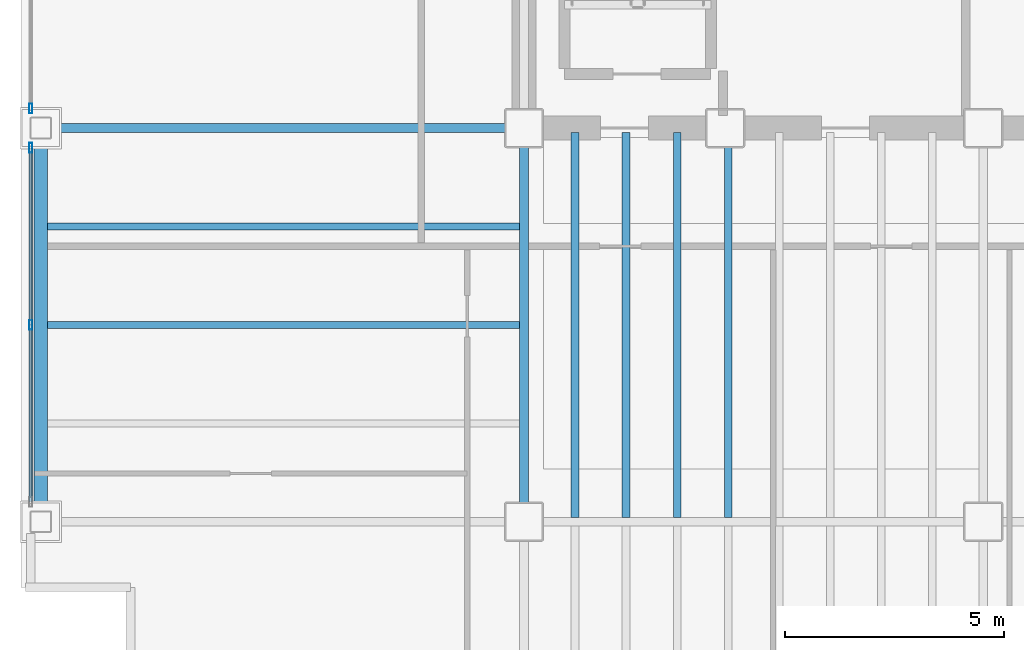
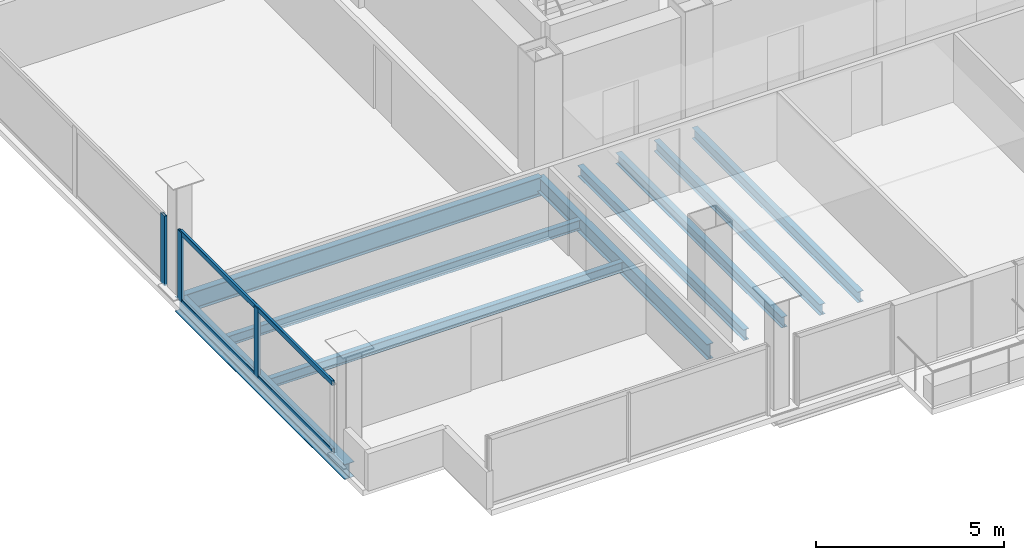
# One storey, part 3 of 19: 9 beams, 5 members, 2 elements without a shape of their own.
"""IFC4 building model written with IfcOpenShell, lengths in metres."""

from ifc_helpers import new_model, si_unit, direction, frame, origin, origin_2d, place, context, subcontext, project, spatial, hollow_rectangle, i_section, extrude, material, material_profile, profile_set, type_object, element, aggregate, save


model = new_model("IFC4")

# Units and contexts
model_context = context("Model", 3, precision=1e-05, world=origin(), true_north=direction((0.0, 1.0)))
body_context = subcontext(model_context, "Body", "Model", "MODEL_VIEW")
ifc_project = project(units=[si_unit("LENGTHUNIT", "METRE"), si_unit("AREAUNIT", "SQUARE_METRE"), si_unit("VOLUMEUNIT", "CUBIC_METRE"), si_unit("PLANEANGLEUNIT", "RADIAN"), si_unit("MASSUNIT", "GRAM", prefix="KILO")], contexts=[model_context])

# Site, building, storey
site_placement = place(None, origin())
site = spatial("IfcSite", under=ifc_project, at=site_placement, CompositionType="ELEMENT")
building_placement = place(site_placement, origin())
building = spatial("IfcBuilding", under=site, at=building_placement, Name="Noeulbin Bourse Tower", CompositionType="ELEMENT")
storey_placement = place(building_placement, frame((0.0, 0.0, 165.60009765625)))
storey = spatial("IfcBuildingStorey", under=building, at=storey_placement, Name="L41", CompositionType="ELEMENT", Elevation=165.60009765625)

# Beams
ifc_material_1 = material(Name="Steel S355", Category="steel")
ifc_material_profile_1 = material_profile(ifc_material_1, i_section(OverallWidth=0.199951171875, OverallDepth=0.5, WebThickness=0.010009765625, FlangeThickness=0.01611328125, FilletRadius=0.02001953125, at=origin_2d()), Name="H-500x200x10x16", Category="LoadBearing")
ifc_profile_set_1 = profile_set([ifc_material_profile_1], Name="Steel S355")
beam_type_1 = type_object("IfcBeamType", Name="BM-GRD-500", PredefinedType="USERDEFINED", material=ifc_profile_set_1)
beam_1_placement = place(storey_placement, frame((13.5, 20.0, -0.43017578125), z_axis=(0.0, 1.0, 0.0), x_axis=(-1.0, 0.0, 0.0)))
element("IfcBeam", 1, at=beam_1_placement, inside=storey, type_object=beam_type_1, Name="Tower Primary Girder NS L41-1.2", ObjectType="GIRDER", PredefinedType="USERDEFINED", context=body_context, shape_type="SweptSolid", body=[
    extrude(i_section(OverallWidth=0.199951171875, OverallDepth=0.5, WebThickness=0.010009765625, FlangeThickness=0.01611328125, FilletRadius=0.02001953125, at=origin_2d()), origin(), (0.0, 0.0, 1.0), 9.0),
])
ifc_material_profile_2 = material_profile(ifc_material_1, i_section(OverallWidth=0.199951171875, OverallDepth=0.60009765625, WebThickness=0.010986328125, FlangeThickness=0.01708984375, FilletRadius=0.02197265625, at=origin_2d()), Name="H-600x200x11x17", Category="LoadBearing")
ifc_profile_set_2 = profile_set([ifc_material_profile_2], Name="Steel S355")
beam_type_2 = type_object("IfcBeamType", Name="BM-GRD-600", PredefinedType="USERDEFINED", material=ifc_profile_set_2)
beam_2_placement = place(storey_placement, frame((2.449951171875, 29.0, -0.47998046875), z_axis=(1.0, 0.0, 0.0), x_axis=(0.0, 1.0, 0.0)))
element("IfcBeam", 2, at=beam_2_placement, inside=storey, type_object=beam_type_2, Name="Tower Primary Girder EW L41-2.1", ObjectType="GIRDER", PredefinedType="USERDEFINED", context=body_context, shape_type="SweptSolid", body=[
    extrude(i_section(OverallWidth=0.199951171875, OverallDepth=0.60009765625, WebThickness=0.010986328125, FlangeThickness=0.01708984375, FilletRadius=0.02197265625, at=origin_2d()), origin(), (0.0, 0.0, 1.0), 11.050048828125),
])
ifc_material_profile_3 = material_profile(ifc_material_1, i_section(OverallWidth=0.159912109375, OverallDepth=0.320068359375, WebThickness=0.006591796875, FlangeThickness=0.010009765625, FilletRadius=0.012939453125, at=origin_2d()), Name="H-320x160x6.5x10", Category="LoadBearing")
ifc_profile_set_3 = profile_set([ifc_material_profile_3], Name="Steel S355")
beam_type_3 = type_object("IfcBeamType", Name="BM-JST-320", PredefinedType="JOIST", material=ifc_profile_set_3)
for number, where, z_axis, x_axis, name in (
    (3, (2.60009765625, 24.5, -0.340087890625), (1.0, 0.0, 0.0), (0.0, 1.0, 0.0), "Wing Composite Joist L41-W71"),
    (4, (2.60009765625, 26.75, -0.340087890625), (1.0, 0.0, 0.0), (0.0, 1.0, 0.0), "Wing Composite Joist L41-W72"),
):
    element("IfcBeam", number, at=place(storey_placement, frame(where, z_axis=z_axis, x_axis=x_axis)), inside=storey, type_object=beam_type_3, Name=name, PredefinedType="JOIST", context=body_context, shape_type="SweptSolid", body=[
        extrude(i_section(OverallWidth=0.159912109375, OverallDepth=0.320068359375, WebThickness=0.006591796875, FlangeThickness=0.010009765625, FilletRadius=0.012939453125, at=origin_2d()), origin(), (0.0, 0.0, 1.0), 10.7998046875),
    ])
ifc_material_profile_4 = material_profile(ifc_material_1, i_section(OverallWidth=0.175048828125, OverallDepth=0.35009765625, WebThickness=0.007080078125, FlangeThickness=0.010986328125, FilletRadius=0.013916015625, at=origin_2d()), Name="H-350x175x7x11", Category="LoadBearing")
ifc_profile_set_4 = profile_set([ifc_material_profile_4], Name="Steel S355")
beam_type_4 = type_object("IfcBeamType", Name="BM-JST-350", PredefinedType="JOIST", material=ifc_profile_set_4)
for number, where, z_axis, x_axis, name in (
    (5, (14.666748046875, 20.10009765625, -0.35498046875), (0.0, 1.0, 0.0), (-1.0, 0.0, 0.0), "Tower Composite Joist L41-02"),
    (6, (15.833251953125, 20.10009765625, -0.35498046875), (0.0, 1.0, 0.0), (-1.0, 0.0, 0.0), "Tower Composite Joist L41-05"),
    (7, (17.0, 20.10009765625, -0.35498046875), (0.0, 1.0, 0.0), (-1.0, 0.0, 0.0), "Tower Composite Joist L41-08"),
    (8, (18.166748046875, 20.10009765625, -0.35498046875), (0.0, 1.0, 0.0), (-1.0, 0.0, 0.0), "Tower Composite Joist L41-11"),
):
    element("IfcBeam", number, at=place(storey_placement, frame(where, z_axis=z_axis, x_axis=x_axis)), inside=storey, type_object=beam_type_4, Name=name, PredefinedType="JOIST", context=body_context, shape_type="SweptSolid", body=[
        extrude(i_section(OverallWidth=0.175048828125, OverallDepth=0.35009765625, WebThickness=0.007080078125, FlangeThickness=0.010986328125, FilletRadius=0.013916015625, at=origin_2d()), origin(), (0.0, 0.0, 1.0), 8.7998046875),
    ])
ifc_material_profile_5 = material_profile(ifc_material_1, i_section(OverallWidth=0.300048828125, OverallDepth=0.488037109375, WebThickness=0.010986328125, FlangeThickness=0.01806640625, FilletRadius=0.02197265625, at=origin_2d()), Name="H-488x300x11x18", Category="LoadBearing")
ifc_profile_set_5 = profile_set([ifc_material_profile_5], Name="Steel S355")
beam_type_5 = type_object("IfcBeamType", Name="BM-SPN-488", PredefinedType="SPANDREL", material=ifc_profile_set_5)
beam_3_placement = place(storey_placement, frame((2.449951171875, 20.0, -0.424072265625), z_axis=(0.0, 1.0, 0.0), x_axis=(-1.0, 0.0, 0.0)))
element("IfcBeam", 9, at=beam_3_placement, inside=storey, type_object=beam_type_5, Name="West Spandrel L41-1", PredefinedType="SPANDREL", context=body_context, shape_type="SweptSolid", body=[
    extrude(i_section(OverallWidth=0.300048828125, OverallDepth=0.488037109375, WebThickness=0.010986328125, FlangeThickness=0.01806640625, FilletRadius=0.02197265625, at=origin_2d()), origin(), (0.0, 0.0, 1.0), 9.0),
])

# Curtain wall, members
ifc_material_2 = material(Name="Dark Tinted Triple Glazing", Category="glass")
curtain_wall_type = type_object("IfcCurtainWallType", Name="CW-SYS-3", PredefinedType="NOTDEFINED", material=ifc_material_2)
curtain_wall_1_placement = place(storey_placement, origin())
curtain_wall_1 = element("IfcCurtainWall", 10, at=curtain_wall_1_placement, inside=storey, type_object=curtain_wall_type, Name="Unitised Curtain Wall CW-L41-W-S1", PredefinedType="NOTDEFINED")
ifc_material_3 = material(Name="Anodised Aluminium 6063-T6", Category="aluminium")
ifc_material_profile_6 = material_profile(ifc_material_3, hollow_rectangle(XDim=0.074951171875, YDim=0.219970703125, WallThickness=0.0048828125, InnerFilletRadius=0.00244140625, OuterFilletRadius=0.0048828125, at=origin_2d()), Name="ALU-MULL-75x220x5", Category="LoadBearing")
ifc_profile_set_6 = profile_set([ifc_material_profile_6], Name="Anodised Aluminium 6063-T6")
member_type_1 = type_object("IfcMemberType", Name="CW-SYS-3-MUL", PredefinedType="MULLION", material=ifc_profile_set_6)
member_1_placement = place(storey_placement, frame((2.219970703125, 24.5, -0.02001953125), z_axis=(0.0, 0.0, 1.0), x_axis=(1.0, 0.0, 0.0)))
member_1 = element("IfcMember", 11, at=member_1_placement, type_object=member_type_1, Name="Curtain Wall Mullion CW-L41-W-S1-M01", PredefinedType="MULLION", context=body_context, shape_type="SweptSolid", body=[
    extrude(hollow_rectangle(XDim=0.074951171875, YDim=0.219970703125, WallThickness=0.0048828125, InnerFilletRadius=0.00244140625, OuterFilletRadius=0.0048828125, at=origin_2d()), origin(), (0.0, 0.0, 1.0), 2.260009765625),
])
member_2_placement = place(storey_placement, frame((2.219970703125, 28.550048828125, -0.02001953125), z_axis=(0.0, 0.0, 1.0), x_axis=(1.0, 0.0, 0.0)))
member_2 = element("IfcMember", 12, at=member_2_placement, type_object=member_type_1, Name="Curtain Wall Mullion CW-L41-W-S1-M02", PredefinedType="MULLION", context=body_context, shape_type="SweptSolid", body=[
    extrude(hollow_rectangle(XDim=0.074951171875, YDim=0.219970703125, WallThickness=0.0048828125, InnerFilletRadius=0.00244140625, OuterFilletRadius=0.0048828125, at=origin_2d()), origin(), (0.0, 0.0, 1.0), 2.260009765625),
])

# Curtain wall, member
curtain_wall_2_placement = place(storey_placement, origin())
curtain_wall_2 = element("IfcCurtainWall", 13, at=curtain_wall_2_placement, inside=storey, type_object=curtain_wall_type, Name="Unitised Curtain Wall CW-L41-W-S2", PredefinedType="NOTDEFINED")
member_3_placement = place(storey_placement, frame((2.219970703125, 29.449951171875, -0.02001953125), z_axis=(0.0, 0.0, 1.0), x_axis=(1.0, 0.0, 0.0)))
member_3 = element("IfcMember", 14, at=member_3_placement, type_object=member_type_1, Name="Curtain Wall Mullion CW-L41-W-S2-M00", PredefinedType="MULLION", context=body_context, shape_type="SweptSolid", body=[
    extrude(hollow_rectangle(XDim=0.074951171875, YDim=0.219970703125, WallThickness=0.0048828125, InnerFilletRadius=0.00244140625, OuterFilletRadius=0.0048828125, at=origin_2d()), origin(), (0.0, 0.0, 1.0), 2.260009765625),
])
aggregate(curtain_wall_2, [member_3])

# Member
ifc_material_profile_7 = material_profile(ifc_material_3, hollow_rectangle(XDim=0.074951171875, YDim=0.159912109375, WallThickness=0.0048828125, InnerFilletRadius=0.00244140625, OuterFilletRadius=0.0048828125, at=origin_2d()), Name="ALU-TRAN-75x160x5", Category="LoadBearing")
ifc_profile_set_7 = profile_set([ifc_material_profile_7], Name="Anodised Aluminium 6063-T6")
member_type_2 = type_object("IfcMemberType", Name="CW-SYS-3-TRN", PredefinedType="USERDEFINED", material=ifc_profile_set_7)
member_4_placement = place(storey_placement, frame((2.219970703125, 20.4599609375, 0.010009765625), z_axis=(0.0, 1.0, 0.0), x_axis=(-1.0, 0.0, 0.0)))
member_4 = element("IfcMember", 15, at=member_4_placement, type_object=member_type_2, Name="Curtain Wall Transom CW-L41-W-S1-T00", ObjectType="TRANSOM", PredefinedType="USERDEFINED", context=body_context, shape_type="SweptSolid", body=[
    extrude(hollow_rectangle(XDim=0.074951171875, YDim=0.159912109375, WallThickness=0.0048828125, InnerFilletRadius=0.00244140625, OuterFilletRadius=0.0048828125, at=origin_2d()), origin(), (0.0, 0.0, 1.0), 8.080078125),
])

member_5_placement = place(storey_placement, frame((2.219970703125, 20.4599609375, 2.2099609375), z_axis=(0.0, 1.0, 0.0), x_axis=(-1.0, 0.0, 0.0)))
member_5 = element("IfcMember", 16, at=member_5_placement, type_object=member_type_2, Name="Curtain Wall Transom CW-L41-W-S1-T01", ObjectType="TRANSOM", PredefinedType="USERDEFINED", context=body_context, shape_type="SweptSolid", body=[
    extrude(hollow_rectangle(XDim=0.074951171875, YDim=0.159912109375, WallThickness=0.0048828125, InnerFilletRadius=0.00244140625, OuterFilletRadius=0.0048828125, at=origin_2d()), origin(), (0.0, 0.0, 1.0), 8.080078125),
])

aggregate(curtain_wall_1, [member_1, member_2, member_4, member_5])

save(model, "model.ifc")
